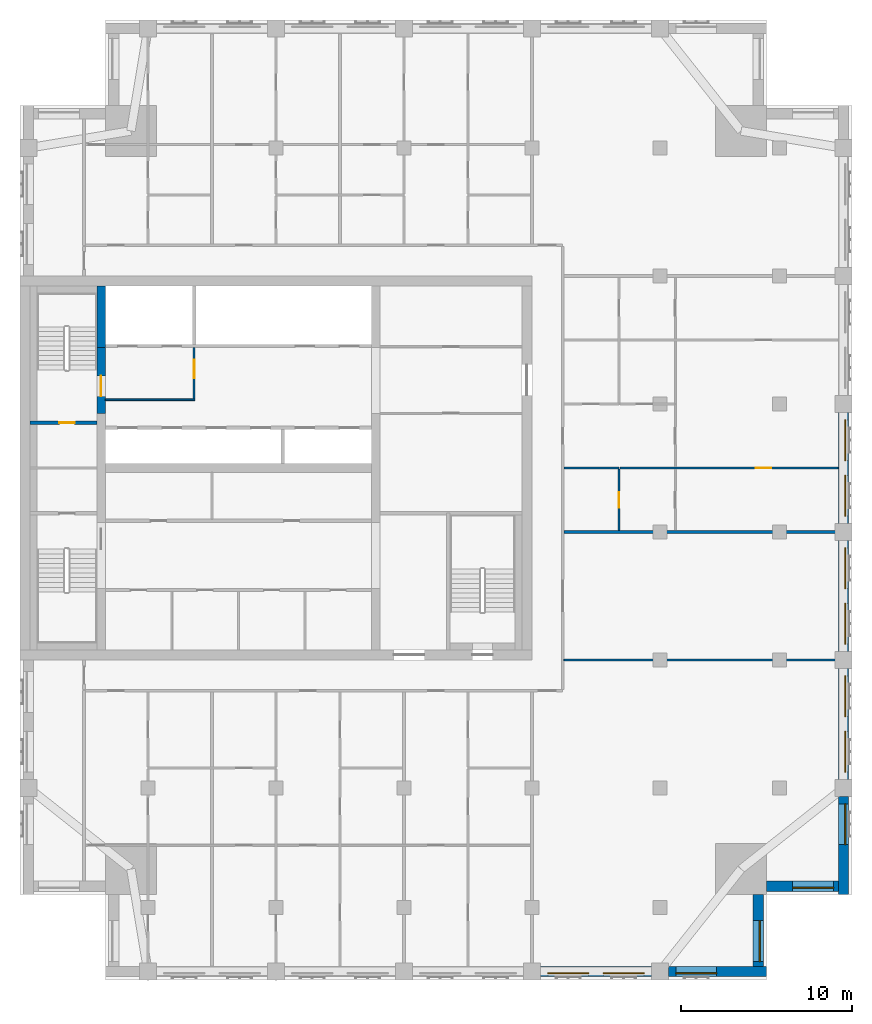
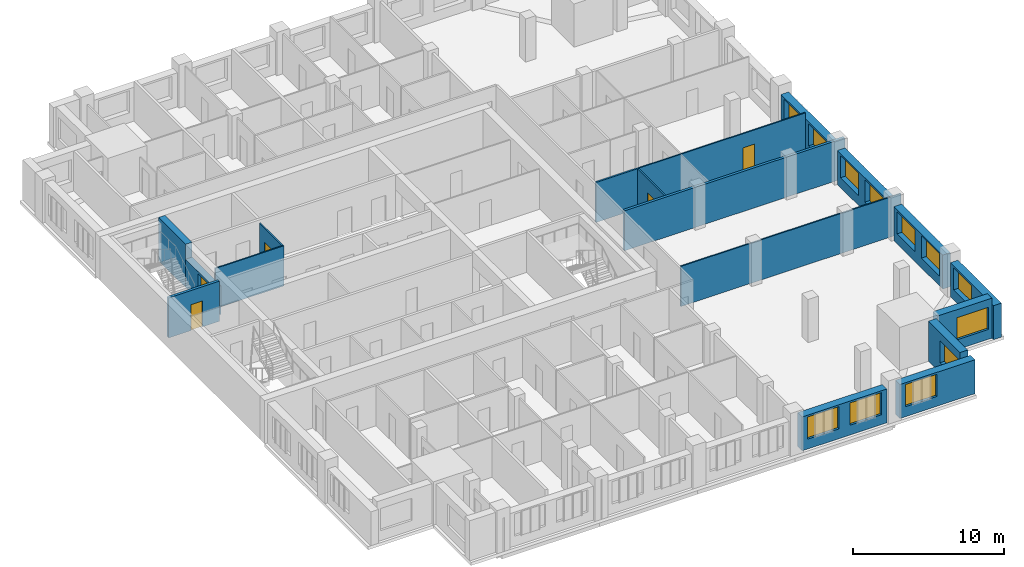
# One storey, part 5 of 11: 18 walls, 12 windows, 5 doors, 17 openings.
"""IFC4 building model written with IfcOpenShell, lengths in metres."""

from ifc_helpers import new_model, si_unit, direction, frame, frame_2d, origin, place, context, subcontext, project, spatial, rectangle, extrude, material, layer, layer_set, type_object, element, fill, save


model = new_model("IFC4")

# Units and contexts
model_context = context("Model", 3, precision=1e-05, world=origin(), true_north=direction((0.0, 1.0)))
body_context = subcontext(model_context, "Body", "Model", "MODEL_VIEW")
ifc_project = project(units=[si_unit("LENGTHUNIT", "METRE"), si_unit("AREAUNIT", "SQUARE_METRE"), si_unit("VOLUMEUNIT", "CUBIC_METRE"), si_unit("PLANEANGLEUNIT", "RADIAN"), si_unit("MASSUNIT", "GRAM", prefix="KILO")], contexts=[model_context])

# Site, building, storey
site_placement = place(None, origin())
site = spatial("IfcSite", under=ifc_project, at=site_placement, CompositionType="ELEMENT")
building_placement = place(site_placement, origin())
building = spatial("IfcBuilding", under=site, at=building_placement, Name="Tamorin Gate", CompositionType="ELEMENT")
storey_placement = place(building_placement, frame((0.0, 0.0, 244.199951171875)))
storey = spatial("IfcBuildingStorey", under=building, at=storey_placement, Name="L61", CompositionType="ELEMENT", Elevation=244.199951171875)

# Wall, openings, windows
ifc_material_1 = material(Name="Precast concrete C40/50", Category="concrete")
ifc_layer_1 = layer(ifc_material_1, 0.60009765625)
ifc_layer_set_1 = layer_set([ifc_layer_1], Name="Precast concrete C40/50")
wall_type_1 = type_object("IfcWallType", Name="Board-marked concrete facade panel 600", PredefinedType="SOLIDWALL", material=ifc_layer_set_1)
wall_1_placement = place(storey_placement, frame((60.5, 41.75, 0.0), z_axis=(0.0, 0.0, 1.0), x_axis=(1.0, 0.0, 0.0)))
wall_1 = element("IfcWall", 1, at=wall_1_placement, inside=storey, type_object=wall_type_1, Name="Facade panel", PredefinedType="SOLIDWALL", context=body_context, shape_type="SweptSolid", body=[
    extrude(rectangle(XDim=6.5, YDim=0.60009765625, at=frame_2d((3.25, 0.0))), origin(), (0.0, 0.0, 1.0), 2.75),
])
opening_1_placement = place(wall_1_placement, frame((0.425048828125, 0.0, 0.800048828125)))
opening_1 = element("IfcOpeningElement", 2, at=opening_1_placement, cuts=wall_1, Name="Opening WN1", PredefinedType="OPENING", context=body_context, shape_type="SweptSolid", body=[
    extrude(rectangle(XDim=2.39990234375, YDim=1.800048828125, at=frame_2d((1.199951171875, 0.89990234375))), frame((0.0, 0.31005859375, 0.0), z_axis=(0.0, -1.0, 0.0), x_axis=(1.0, 0.0, 0.0)), (0.0, 0.0, 1.0), 0.6201171875),
])
opening_2_placement = place(wall_1_placement, frame((3.675048828125, 0.0, 0.800048828125)))
opening_2 = element("IfcOpeningElement", 3, at=opening_2_placement, cuts=wall_1, Name="Opening WN1", PredefinedType="OPENING", context=body_context, shape_type="SweptSolid", body=[
    extrude(rectangle(XDim=2.39990234375, YDim=1.800048828125, at=frame_2d((1.199951171875, 0.89990234375))), frame((0.0, 0.31005859375, 0.0), z_axis=(0.0, -1.0, 0.0), x_axis=(1.0, 0.0, 0.0)), (0.0, 0.0, 1.0), 0.6201171875),
])
ifc_material_2 = material(Name="Clear glass in aluminium frame", Category="aluminium")
window_type = type_object("IfcWindowType", Name="Deep-set window 2400x1800", PartitioningType="SINGLE_PANEL", PredefinedType="WINDOW", material=ifc_material_2)
window_1_placement = place(opening_1_placement, origin())
window_1 = element("IfcWindow", 4, at=window_1_placement, inside=storey, type_object=window_type, Name="Deep-set window", OverallHeight=1.800048828125, OverallWidth=2.39990234375, PartitioningType="SINGLE_PANEL", PredefinedType="WINDOW", context=body_context, shape_type="SweptSolid", body=[
    extrude(rectangle(XDim=2.39990234375, YDim=1.800048828125, at=frame_2d((1.199951171875, 0.89990234375))), frame((0.0, -0.070068359375, 0.0), z_axis=(0.0, -1.0, 0.0), x_axis=(1.0, 0.0, 0.0)), (0.0, 0.0, 1.0), 0.06005859375),
])
fill(opening_1, window_1)
window_2_placement = place(opening_2_placement, origin())
window_2 = element("IfcWindow", 5, at=window_2_placement, inside=storey, type_object=window_type, Name="Deep-set window", OverallHeight=1.800048828125, OverallWidth=2.39990234375, PartitioningType="SINGLE_PANEL", PredefinedType="WINDOW", context=body_context, shape_type="SweptSolid", body=[
    extrude(rectangle(XDim=2.39990234375, YDim=1.800048828125, at=frame_2d((1.199951171875, 0.89990234375))), frame((0.0, -0.070068359375, 0.0), z_axis=(0.0, -1.0, 0.0), x_axis=(1.0, 0.0, 0.0)), (0.0, 0.0, 1.0), 0.06005859375),
])
fill(opening_2, window_2)

# Wall, opening, window
wall_2_placement = place(storey_placement, frame((68.0, 41.75, 0.0), z_axis=(0.0, 0.0, 1.0), x_axis=(1.0, 0.0, 0.0)))
wall_2 = element("IfcWall", 6, at=wall_2_placement, inside=storey, type_object=wall_type_1, Name="Facade panel", PredefinedType="SOLIDWALL", context=body_context, shape_type="SweptSolid", body=[
    extrude(rectangle(XDim=5.75, YDim=0.60009765625, at=frame_2d((2.875, 0.0))), origin(), (0.0, 0.0, 1.0), 2.75),
])
opening_3_placement = place(wall_2_placement, frame((0.425048828125, 0.0, 0.800048828125)))
opening_3 = element("IfcOpeningElement", 7, at=opening_3_placement, cuts=wall_2, Name="Opening WN1", PredefinedType="OPENING", context=body_context, shape_type="SweptSolid", body=[
    extrude(rectangle(XDim=2.39990234375, YDim=1.800048828125, at=frame_2d((1.199951171875, 0.89990234375))), frame((0.0, 0.31005859375, 0.0), z_axis=(0.0, -1.0, 0.0), x_axis=(1.0, 0.0, 0.0)), (0.0, 0.0, 1.0), 0.6201171875),
])
window_3_placement = place(opening_3_placement, origin())
window_3 = element("IfcWindow", 8, at=window_3_placement, inside=storey, type_object=window_type, Name="Deep-set window", OverallHeight=1.800048828125, OverallWidth=2.39990234375, PartitioningType="SINGLE_PANEL", PredefinedType="WINDOW", context=body_context, shape_type="SweptSolid", body=[
    extrude(rectangle(XDim=2.39990234375, YDim=1.800048828125, at=frame_2d((1.199951171875, 0.89990234375))), frame((0.0, -0.070068359375, 0.0), z_axis=(0.0, -1.0, 0.0), x_axis=(1.0, 0.0, 0.0)), (0.0, 0.0, 1.0), 0.06005859375),
])
fill(opening_3, window_3)

wall_3_placement = place(storey_placement, frame((73.25, 42.050048828125, 0.0), z_axis=(0.0, 0.0, 1.0), x_axis=(0.0, 1.0, 0.0)))
wall_3 = element("IfcWall", 9, at=wall_3_placement, inside=storey, type_object=wall_type_1, Name="Facade panel", PredefinedType="SOLIDWALL", context=body_context, shape_type="SweptSolid", body=[
    extrude(rectangle(XDim=4.199951171875, YDim=0.60009765625, at=frame_2d((2.10009765625, 0.0))), origin(), (0.0, 0.0, 1.0), 3.25),
])
opening_4_placement = place(wall_3_placement, frame((0.27490234375, 0.0, 0.800048828125)))
opening_4 = element("IfcOpeningElement", 10, at=opening_4_placement, cuts=wall_3, Name="Opening WN1", PredefinedType="OPENING", context=body_context, shape_type="SweptSolid", body=[
    extrude(rectangle(XDim=2.39990234375, YDim=1.800048828125, at=frame_2d((1.199951171875, 0.89990234375))), frame((0.0, 0.31005859375, 0.0), z_axis=(0.0, -1.0, 0.0), x_axis=(1.0, 0.0, 0.0)), (0.0, 0.0, 1.0), 0.6201171875),
])
window_4_placement = place(opening_4_placement, origin())
window_4 = element("IfcWindow", 11, at=window_4_placement, inside=storey, type_object=window_type, Name="Deep-set window", OverallHeight=1.800048828125, OverallWidth=2.39990234375, PartitioningType="SINGLE_PANEL", PredefinedType="WINDOW", context=body_context, shape_type="SweptSolid", body=[
    extrude(rectangle(XDim=2.39990234375, YDim=1.800048828125, at=frame_2d((1.199951171875, 0.89990234375))), frame((0.0, -0.070068359375, 0.0), z_axis=(0.0, -1.0, 0.0), x_axis=(1.0, 0.0, 0.0)), (0.0, 0.0, 1.0), 0.06005859375),
])
fill(opening_4, window_4)

wall_4_placement = place(storey_placement, frame((73.75, 46.75, 0.0), z_axis=(0.0, 0.0, 1.0), x_axis=(1.0, 0.0, 0.0)))
wall_4 = element("IfcWall", 12, at=wall_4_placement, inside=storey, type_object=wall_type_1, Name="Facade panel", PredefinedType="SOLIDWALL", context=body_context, shape_type="SweptSolid", body=[
    extrude(rectangle(XDim=4.199951171875, YDim=0.60009765625, at=frame_2d((2.10009765625, 0.0))), origin(), (0.0, 0.0, 1.0), 3.25),
])
opening_5_placement = place(wall_4_placement, frame((1.52490234375, 0.0, 0.800048828125)))
opening_5 = element("IfcOpeningElement", 13, at=opening_5_placement, cuts=wall_4, Name="Opening WN1", PredefinedType="OPENING", context=body_context, shape_type="SweptSolid", body=[
    extrude(rectangle(XDim=2.39990234375, YDim=1.800048828125, at=frame_2d((1.199951171875, 0.89990234375))), frame((0.0, 0.31005859375, 0.0), z_axis=(0.0, -1.0, 0.0), x_axis=(1.0, 0.0, 0.0)), (0.0, 0.0, 1.0), 0.6201171875),
])
window_5_placement = place(opening_5_placement, origin())
window_5 = element("IfcWindow", 14, at=window_5_placement, inside=storey, type_object=window_type, Name="Deep-set window", OverallHeight=1.800048828125, OverallWidth=2.39990234375, PartitioningType="SINGLE_PANEL", PredefinedType="WINDOW", context=body_context, shape_type="SweptSolid", body=[
    extrude(rectangle(XDim=2.39990234375, YDim=1.800048828125, at=frame_2d((1.199951171875, 0.89990234375))), frame((0.0, -0.070068359375, 0.0), z_axis=(0.0, -1.0, 0.0), x_axis=(1.0, 0.0, 0.0)), (0.0, 0.0, 1.0), 0.06005859375),
])
fill(opening_5, window_5)

wall_5_placement = place(storey_placement, frame((78.25, 46.25, 0.0), z_axis=(0.0, 0.0, 1.0), x_axis=(0.0, 1.0, 0.0)))
wall_5 = element("IfcWall", 15, at=wall_5_placement, inside=storey, type_object=wall_type_1, Name="Facade panel", PredefinedType="SOLIDWALL", context=body_context, shape_type="SweptSolid", body=[
    extrude(rectangle(XDim=5.75, YDim=0.60009765625, at=frame_2d((2.875, 0.0))), origin(), (0.0, 0.0, 1.0), 2.75),
])
opening_6_placement = place(wall_5_placement, frame((2.925048828125, 0.0, 0.800048828125)))
opening_6 = element("IfcOpeningElement", 16, at=opening_6_placement, cuts=wall_5, Name="Opening WN1", PredefinedType="OPENING", context=body_context, shape_type="SweptSolid", body=[
    extrude(rectangle(XDim=2.39990234375, YDim=1.800048828125, at=frame_2d((1.199951171875, 0.89990234375))), frame((0.0, 0.31005859375, 0.0), z_axis=(0.0, -1.0, 0.0), x_axis=(1.0, 0.0, 0.0)), (0.0, 0.0, 1.0), 0.6201171875),
])
window_6_placement = place(opening_6_placement, origin())
window_6 = element("IfcWindow", 17, at=window_6_placement, inside=storey, type_object=window_type, Name="Deep-set window", OverallHeight=1.800048828125, OverallWidth=2.39990234375, PartitioningType="SINGLE_PANEL", PredefinedType="WINDOW", context=body_context, shape_type="SweptSolid", body=[
    extrude(rectangle(XDim=2.39990234375, YDim=1.800048828125, at=frame_2d((1.199951171875, 0.89990234375))), frame((0.0, -0.070068359375, 0.0), z_axis=(0.0, -1.0, 0.0), x_axis=(1.0, 0.0, 0.0)), (0.0, 0.0, 1.0), 0.06005859375),
])
fill(opening_6, window_6)

# Wall, openings, windows
wall_6_placement = place(storey_placement, frame((78.25, 53.0, 0.0), z_axis=(0.0, 0.0, 1.0), x_axis=(0.0, 1.0, 0.0)))
wall_6 = element("IfcWall", 18, at=wall_6_placement, inside=storey, type_object=wall_type_1, Name="Facade panel", PredefinedType="SOLIDWALL", context=body_context, shape_type="SweptSolid", body=[
    extrude(rectangle(XDim=6.5, YDim=0.60009765625, at=frame_2d((3.25, 0.0))), origin(), (0.0, 0.0, 1.0), 2.75),
])
opening_7_placement = place(wall_6_placement, frame((0.425048828125, 0.0, 0.800048828125)))
opening_7 = element("IfcOpeningElement", 19, at=opening_7_placement, cuts=wall_6, Name="Opening WN1", PredefinedType="OPENING", context=body_context, shape_type="SweptSolid", body=[
    extrude(rectangle(XDim=2.39990234375, YDim=1.800048828125, at=frame_2d((1.199951171875, 0.89990234375))), frame((0.0, 0.31005859375, 0.0), z_axis=(0.0, -1.0, 0.0), x_axis=(1.0, 0.0, 0.0)), (0.0, 0.0, 1.0), 0.6201171875),
])
opening_8_placement = place(wall_6_placement, frame((3.675048828125, 0.0, 0.800048828125)))
opening_8 = element("IfcOpeningElement", 20, at=opening_8_placement, cuts=wall_6, Name="Opening WN1", PredefinedType="OPENING", context=body_context, shape_type="SweptSolid", body=[
    extrude(rectangle(XDim=2.39990234375, YDim=1.800048828125, at=frame_2d((1.199951171875, 0.89990234375))), frame((0.0, 0.31005859375, 0.0), z_axis=(0.0, -1.0, 0.0), x_axis=(1.0, 0.0, 0.0)), (0.0, 0.0, 1.0), 0.6201171875),
])
window_7_placement = place(opening_7_placement, origin())
window_7 = element("IfcWindow", 21, at=window_7_placement, inside=storey, type_object=window_type, Name="Deep-set window", OverallHeight=1.800048828125, OverallWidth=2.39990234375, PartitioningType="SINGLE_PANEL", PredefinedType="WINDOW", context=body_context, shape_type="SweptSolid", body=[
    extrude(rectangle(XDim=2.39990234375, YDim=1.800048828125, at=frame_2d((1.199951171875, 0.89990234375))), frame((0.0, -0.070068359375, 0.0), z_axis=(0.0, -1.0, 0.0), x_axis=(1.0, 0.0, 0.0)), (0.0, 0.0, 1.0), 0.06005859375),
])
fill(opening_7, window_7)
window_8_placement = place(opening_8_placement, origin())
window_8 = element("IfcWindow", 22, at=window_8_placement, inside=storey, type_object=window_type, Name="Deep-set window", OverallHeight=1.800048828125, OverallWidth=2.39990234375, PartitioningType="SINGLE_PANEL", PredefinedType="WINDOW", context=body_context, shape_type="SweptSolid", body=[
    extrude(rectangle(XDim=2.39990234375, YDim=1.800048828125, at=frame_2d((1.199951171875, 0.89990234375))), frame((0.0, -0.070068359375, 0.0), z_axis=(0.0, -1.0, 0.0), x_axis=(1.0, 0.0, 0.0)), (0.0, 0.0, 1.0), 0.06005859375),
])
fill(opening_8, window_8)

wall_7_placement = place(storey_placement, frame((78.25, 60.5, 0.0), z_axis=(0.0, 0.0, 1.0), x_axis=(0.0, 1.0, 0.0)))
wall_7 = element("IfcWall", 23, at=wall_7_placement, inside=storey, type_object=wall_type_1, Name="Facade panel", PredefinedType="SOLIDWALL", context=body_context, shape_type="SweptSolid", body=[
    extrude(rectangle(XDim=6.5, YDim=0.60009765625, at=frame_2d((3.25, 0.0))), origin(), (0.0, 0.0, 1.0), 2.75),
])
opening_9_placement = place(wall_7_placement, frame((0.425048828125, 0.0, 0.800048828125)))
opening_9 = element("IfcOpeningElement", 24, at=opening_9_placement, cuts=wall_7, Name="Opening WN1", PredefinedType="OPENING", context=body_context, shape_type="SweptSolid", body=[
    extrude(rectangle(XDim=2.39990234375, YDim=1.800048828125, at=frame_2d((1.199951171875, 0.89990234375))), frame((0.0, 0.31005859375, 0.0), z_axis=(0.0, -1.0, 0.0), x_axis=(1.0, 0.0, 0.0)), (0.0, 0.0, 1.0), 0.6201171875),
])
opening_10_placement = place(wall_7_placement, frame((3.675048828125, 0.0, 0.800048828125)))
opening_10 = element("IfcOpeningElement", 25, at=opening_10_placement, cuts=wall_7, Name="Opening WN1", PredefinedType="OPENING", context=body_context, shape_type="SweptSolid", body=[
    extrude(rectangle(XDim=2.39990234375, YDim=1.800048828125, at=frame_2d((1.199951171875, 0.89990234375))), frame((0.0, 0.31005859375, 0.0), z_axis=(0.0, -1.0, 0.0), x_axis=(1.0, 0.0, 0.0)), (0.0, 0.0, 1.0), 0.6201171875),
])
window_9_placement = place(opening_9_placement, origin())
window_9 = element("IfcWindow", 26, at=window_9_placement, inside=storey, type_object=window_type, Name="Deep-set window", OverallHeight=1.800048828125, OverallWidth=2.39990234375, PartitioningType="SINGLE_PANEL", PredefinedType="WINDOW", context=body_context, shape_type="SweptSolid", body=[
    extrude(rectangle(XDim=2.39990234375, YDim=1.800048828125, at=frame_2d((1.199951171875, 0.89990234375))), frame((0.0, -0.070068359375, 0.0), z_axis=(0.0, -1.0, 0.0), x_axis=(1.0, 0.0, 0.0)), (0.0, 0.0, 1.0), 0.06005859375),
])
fill(opening_9, window_9)
window_10_placement = place(opening_10_placement, origin())
window_10 = element("IfcWindow", 27, at=window_10_placement, inside=storey, type_object=window_type, Name="Deep-set window", OverallHeight=1.800048828125, OverallWidth=2.39990234375, PartitioningType="SINGLE_PANEL", PredefinedType="WINDOW", context=body_context, shape_type="SweptSolid", body=[
    extrude(rectangle(XDim=2.39990234375, YDim=1.800048828125, at=frame_2d((1.199951171875, 0.89990234375))), frame((0.0, -0.070068359375, 0.0), z_axis=(0.0, -1.0, 0.0), x_axis=(1.0, 0.0, 0.0)), (0.0, 0.0, 1.0), 0.06005859375),
])
fill(opening_10, window_10)

wall_8_placement = place(storey_placement, frame((78.25, 68.0, 0.0), z_axis=(0.0, 0.0, 1.0), x_axis=(0.0, 1.0, 0.0)))
wall_8 = element("IfcWall", 28, at=wall_8_placement, inside=storey, type_object=wall_type_1, Name="Facade panel", PredefinedType="SOLIDWALL", context=body_context, shape_type="SweptSolid", body=[
    extrude(rectangle(XDim=6.5, YDim=0.60009765625, at=frame_2d((3.25, 0.0))), origin(), (0.0, 0.0, 1.0), 2.75),
])
opening_11_placement = place(wall_8_placement, frame((0.425048828125, 0.0, 0.800048828125)))
opening_11 = element("IfcOpeningElement", 29, at=opening_11_placement, cuts=wall_8, Name="Opening WN1", PredefinedType="OPENING", context=body_context, shape_type="SweptSolid", body=[
    extrude(rectangle(XDim=2.39990234375, YDim=1.800048828125, at=frame_2d((1.199951171875, 0.89990234375))), frame((0.0, 0.31005859375, 0.0), z_axis=(0.0, -1.0, 0.0), x_axis=(1.0, 0.0, 0.0)), (0.0, 0.0, 1.0), 0.6201171875),
])
opening_12_placement = place(wall_8_placement, frame((3.675048828125, 0.0, 0.800048828125)))
opening_12 = element("IfcOpeningElement", 30, at=opening_12_placement, cuts=wall_8, Name="Opening WN1", PredefinedType="OPENING", context=body_context, shape_type="SweptSolid", body=[
    extrude(rectangle(XDim=2.39990234375, YDim=1.800048828125, at=frame_2d((1.199951171875, 0.89990234375))), frame((0.0, 0.31005859375, 0.0), z_axis=(0.0, -1.0, 0.0), x_axis=(1.0, 0.0, 0.0)), (0.0, 0.0, 1.0), 0.6201171875),
])
window_11_placement = place(opening_11_placement, origin())
window_11 = element("IfcWindow", 31, at=window_11_placement, inside=storey, type_object=window_type, Name="Deep-set window", OverallHeight=1.800048828125, OverallWidth=2.39990234375, PartitioningType="SINGLE_PANEL", PredefinedType="WINDOW", context=body_context, shape_type="SweptSolid", body=[
    extrude(rectangle(XDim=2.39990234375, YDim=1.800048828125, at=frame_2d((1.199951171875, 0.89990234375))), frame((0.0, -0.070068359375, 0.0), z_axis=(0.0, -1.0, 0.0), x_axis=(1.0, 0.0, 0.0)), (0.0, 0.0, 1.0), 0.06005859375),
])
fill(opening_11, window_11)
window_12_placement = place(opening_12_placement, origin())
window_12 = element("IfcWindow", 32, at=window_12_placement, inside=storey, type_object=window_type, Name="Deep-set window", OverallHeight=1.800048828125, OverallWidth=2.39990234375, PartitioningType="SINGLE_PANEL", PredefinedType="WINDOW", context=body_context, shape_type="SweptSolid", body=[
    extrude(rectangle(XDim=2.39990234375, YDim=1.800048828125, at=frame_2d((1.199951171875, 0.89990234375))), frame((0.0, -0.070068359375, 0.0), z_axis=(0.0, -1.0, 0.0), x_axis=(1.0, 0.0, 0.0)), (0.0, 0.0, 1.0), 0.06005859375),
])
fill(opening_12, window_12)

# Walls
ifc_material_3 = material(Name="Gypsum board partition")
ifc_layer_2 = layer(ifc_material_3, 0.199951171875)
ifc_layer_set_2 = layer_set([ifc_layer_2], Name="Demising wall 200")
wall_type_2 = type_object("IfcWallType", Name="Demising wall 200", PredefinedType="PARTITIONING", material=ifc_layer_set_2)
wall_9_placement = place(storey_placement, frame((61.875, 67.5, 0.0), z_axis=(0.0, 0.0, 1.0), x_axis=(1.0, 0.0, 0.0)))
element("IfcWall", 33, at=wall_9_placement, inside=storey, type_object=wall_type_2, Name="Demising wall 200", PredefinedType="PARTITIONING", context=body_context, shape_type="SweptSolid", body=[
    extrude(rectangle(XDim=16.875, YDim=0.199951171875, at=frame_2d((8.4375, 0.0))), origin(), (0.0, 0.0, 1.0), 3.25),
])
ifc_material_4 = material(Name="Fire-rated gypsum board partition")
ifc_layer_3 = layer(ifc_material_4, 0.10009765625)
ifc_layer_set_3 = layer_set([ifc_layer_3], Name="Lobby wall 100 EI 60")
wall_type_3 = type_object("IfcWallType", Name="Lobby wall 100 EI 60", PredefinedType="PARTITIONING", material=ifc_layer_set_3)
wall_10_placement = place(storey_placement, frame((35.0, 75.25, 0.0), z_axis=(0.0, 0.0, 1.0), x_axis=(1.0, 0.0, 0.0)))
element("IfcWall", 34, at=wall_10_placement, inside=storey, type_object=wall_type_3, Name="Firefighting lobby wall", PredefinedType="PARTITIONING", context=body_context, shape_type="SweptSolid", body=[
    extrude(rectangle(XDim=5.25, YDim=0.10009765625, at=frame_2d((2.625, 0.0))), origin(), (0.0, 0.0, 1.0), 3.25),
])

# Wall, opening, door
wall_11_placement = place(storey_placement, frame((40.199951171875, 75.300048828125, 0.0), z_axis=(0.0, 0.0, 1.0), x_axis=(0.0, 1.0, 0.0)))
wall_11 = element("IfcWall", 35, at=wall_11_placement, inside=storey, type_object=wall_type_3, Name="Firefighting lobby wall", PredefinedType="PARTITIONING", context=body_context, shape_type="SweptSolid", body=[
    extrude(rectangle(XDim=3.0, YDim=0.10009765625, at=frame_2d((1.5, 0.0))), origin(), (0.0, 0.0, 1.0), 3.25),
])
opening_13_placement = place(wall_11_placement, frame((1.199951171875, 0.0, 0.0)))
opening_13 = element("IfcOpeningElement", 36, at=opening_13_placement, cuts=wall_11, Name="Opening DF1", PredefinedType="OPENING", context=body_context, shape_type="SweptSolid", body=[
    extrude(rectangle(XDim=1.10009765625, YDim=2.10009765625, at=frame_2d((0.550048828125, 1.050048828125))), frame((0.0, 0.06005859375, 0.0), z_axis=(0.0, -1.0, 0.0), x_axis=(1.0, 0.0, 0.0)), (0.0, 0.0, 1.0), 0.1201171875),
])
ifc_material_5 = material(Name="Steel fire door", Category="steel")
door_type_1 = type_object("IfcDoorType", Name="Firefighting lobby door 1100 x 2100 EI 90", OperationType="SINGLE_SWING_LEFT", PredefinedType="DOOR", material=ifc_material_5)
door_1_placement = place(opening_13_placement, origin())
door_1 = element("IfcDoor", 37, at=door_1_placement, inside=storey, type_object=door_type_1, Name="Firefighting lobby door", OperationType="SINGLE_SWING_LEFT", OverallHeight=2.10009765625, OverallWidth=1.10009765625, PredefinedType="DOOR", context=body_context, shape_type="SweptSolid", body=[
    extrude(rectangle(XDim=1.10009765625, YDim=2.10009765625, at=frame_2d((0.550048828125, 1.050048828125))), frame((0.0, 0.02490234375, 0.0), z_axis=(0.0, -1.0, 0.0), x_axis=(1.0, 0.0, 0.0)), (0.0, 0.0, 1.0), 0.050048828125),
])
fill(opening_13, door_1)

# Walls
ifc_material_6 = material(Name="Concrete C50/60", Category="concrete")
ifc_layer_4 = layer(ifc_material_6, 0.5)
ifc_layer_set_4 = layer_set([ifc_layer_4], Name="RC core internal wall 500 C50/60")
wall_type_4 = type_object("IfcWallType", Name="RC core internal wall 500 C50/60", PredefinedType="SHEAR", material=ifc_layer_set_4)
wall_12_placement = place(storey_placement, frame((34.75, 78.300048828125, 0.0), z_axis=(0.0, 0.0, 1.0), x_axis=(0.0, 1.0, 0.0)))
element("IfcWall", 38, at=wall_12_placement, inside=storey, type_object=wall_type_4, Name="Core cross wall L61", PredefinedType="SHEAR", context=body_context, shape_type="SweptSolid", body=[
    extrude(rectangle(XDim=3.599853515625, YDim=0.5, at=frame_2d((1.7998046875, 0.0))), origin(), (0.0, 0.0, 1.0), 3.5),
])
ifc_layer_5 = layer(ifc_material_3, 0.10009765625)
ifc_layer_set_5 = layer_set([ifc_layer_5], Name="Room partition 100")
wall_type_5 = type_object("IfcWallType", Name="Room partition 100", PredefinedType="PARTITIONING", material=ifc_layer_set_5)
wall_13_placement = place(storey_placement, frame((61.875, 60.0, 0.0), z_axis=(0.0, 0.0, 1.0), x_axis=(1.0, 0.0, 0.0)))
element("IfcWall", 39, at=wall_13_placement, inside=storey, type_object=wall_type_5, Name="Room partition 100", PredefinedType="PARTITIONING", context=body_context, shape_type="SweptSolid", body=[
    extrude(rectangle(XDim=16.875, YDim=0.10009765625, at=frame_2d((8.4375, 0.0))), origin(), (0.0, 0.0, 1.0), 3.25),
])

# Wall, opening, door
wall_14_placement = place(storey_placement, frame((65.16259765625, 71.25, 0.0), z_axis=(0.0, 0.0, 1.0), x_axis=(1.0, 0.0, 0.0)))
wall_14 = element("IfcWall", 40, at=wall_14_placement, inside=storey, type_object=wall_type_5, Name="Room partition 100", PredefinedType="PARTITIONING", context=body_context, shape_type="SweptSolid", body=[
    extrude(rectangle(XDim=12.77734375, YDim=0.10009765625, at=frame_2d((6.388671875, 0.0))), origin(), (0.0, 0.0, 1.0), 3.25),
])
opening_14_placement = place(wall_14_placement, frame((7.96240234375, 0.0, 0.0)))
opening_14 = element("IfcOpeningElement", 41, at=opening_14_placement, cuts=wall_14, Name="Opening DR7050", PredefinedType="OPENING", context=body_context, shape_type="SweptSolid", body=[
    extrude(rectangle(XDim=0.89990234375, YDim=2.10009765625, at=frame_2d((0.449951171875, 1.050048828125))), frame((0.0, 0.06005859375, 0.0), z_axis=(0.0, -1.0, 0.0), x_axis=(1.0, 0.0, 0.0)), (0.0, 0.0, 1.0), 0.1201171875),
])
ifc_material_7 = material(Name="Timber door leaf", Category="wood")
door_type_2 = type_object("IfcDoorType", Name="Door 900 x 2100", OperationType="NOTDEFINED", PredefinedType="DOOR", material=ifc_material_7)
door_2_placement = place(opening_14_placement, origin())
door_2 = element("IfcDoor", 42, at=door_2_placement, inside=storey, type_object=door_type_2, Name="Door DR7050", OperationType="SINGLE_SWING_LEFT", OverallHeight=2.10009765625, OverallWidth=0.89990234375, PredefinedType="DOOR", context=body_context, shape_type="SweptSolid", body=[
    extrude(rectangle(XDim=0.89990234375, YDim=2.10009765625, at=frame_2d((0.449951171875, 1.050048828125))), frame((0.0, 0.02490234375, 0.0), z_axis=(0.0, -1.0, 0.0), x_axis=(1.0, 0.0, 0.0)), (0.0, 0.0, 1.0), 0.050048828125),
])
fill(opening_14, door_2)

ifc_material_8 = material(Name="Concrete C40/50", Category="concrete")
ifc_layer_6 = layer(ifc_material_8, 0.199951171875)
ifc_layer_set_6 = layer_set([ifc_layer_6], Name="Stair enclosure wall 200 EI 120 C40/50")
wall_type_6 = type_object("IfcWallType", Name="Stair enclosure wall 200 EI 120 C40/50", PredefinedType="SOLIDWALL", material=ifc_layer_set_6)
wall_15_placement = place(storey_placement, frame((30.60009765625, 73.89990234375, 0.0), z_axis=(0.0, 0.0, 1.0), x_axis=(1.0, 0.0, 0.0)))
wall_15 = element("IfcWall", 43, at=wall_15_placement, inside=storey, type_object=wall_type_6, Name="Stair enclosure wall", PredefinedType="SOLIDWALL", context=body_context, shape_type="SweptSolid", body=[
    extrude(rectangle(XDim=3.89990234375, YDim=0.199951171875, at=frame_2d((1.949951171875, 0.0))), origin(), (0.0, 0.0, 1.0), 3.25),
])
opening_15_placement = place(wall_15_placement, frame((1.699951171875, 0.0, 0.0)))
opening_15 = element("IfcOpeningElement", 44, at=opening_15_placement, cuts=wall_15, Name="Opening DR1", PredefinedType="OPENING", context=body_context, shape_type="SweptSolid", body=[
    extrude(rectangle(XDim=0.89990234375, YDim=2.10009765625, at=frame_2d((0.449951171875, 1.050048828125))), frame((0.0, 0.10986328125, 0.0), z_axis=(0.0, -1.0, 0.0), x_axis=(1.0, 0.0, 0.0)), (0.0, 0.0, 1.0), 0.219970703125),
])
door_type_3 = type_object("IfcDoorType", Name="Riser access door 900 x 2100 EI 120", OperationType="SINGLE_SWING_LEFT", PredefinedType="DOOR", material=ifc_material_5)
door_3_placement = place(opening_15_placement, origin())
door_3 = element("IfcDoor", 45, at=door_3_placement, inside=storey, type_object=door_type_3, Name="Communications riser door", OperationType="SINGLE_SWING_RIGHT", OverallHeight=2.10009765625, OverallWidth=0.89990234375, PredefinedType="DOOR", context=body_context, shape_type="SweptSolid", body=[
    extrude(rectangle(XDim=0.89990234375, YDim=2.10009765625, at=frame_2d((0.449951171875, 1.050048828125))), frame((0.0, 0.02490234375, 0.0), z_axis=(0.0, -1.0, 0.0), x_axis=(1.0, 0.0, 0.0)), (0.0, 0.0, 1.0), 0.050048828125),
])
fill(opening_15, door_3)

ifc_material_9 = material(Name="Concrete C32/40", Category="concrete")
ifc_layer_7 = layer(ifc_material_9, 0.5)
ifc_layer_set_7 = layer_set([ifc_layer_7], Name="Stair lobby infill wall 500 EI 120")
wall_type_7 = type_object("IfcWallType", Name="Stair lobby infill wall 500 EI 120", PredefinedType="SOLIDWALL", material=ifc_layer_set_7)
wall_16_placement = place(storey_placement, frame((34.75, 74.449951171875, 0.0), z_axis=(0.0, 0.0, 1.0), x_axis=(0.0, 1.0, 0.0)))
wall_16 = element("IfcWall", 46, at=wall_16_placement, inside=storey, type_object=wall_type_7, Name="Stair lobby infill wall", PredefinedType="SOLIDWALL", context=body_context, shape_type="SweptSolid", body=[
    extrude(rectangle(XDim=3.85009765625, YDim=0.5, at=frame_2d((1.925048828125, 0.0))), origin(), (0.0, 0.0, 1.0), 2.300048828125),
])
opening_16_placement = place(wall_16_placement, frame((1.0, 0.0, 0.0)))
opening_16 = element("IfcOpeningElement", 47, at=opening_16_placement, cuts=wall_16, Name="Opening DS1", PredefinedType="OPENING", context=body_context, shape_type="SweptSolid", body=[
    extrude(rectangle(XDim=1.199951171875, YDim=2.10009765625, at=frame_2d((0.60009765625, 1.050048828125))), frame((0.0, 0.260009765625, 0.0), z_axis=(0.0, -1.0, 0.0), x_axis=(1.0, 0.0, 0.0)), (0.0, 0.0, 1.0), 0.52001953125),
])
door_type_4 = type_object("IfcDoorType", Name="Stair door 1200 x 2100 EI 90", OperationType="SINGLE_SWING_LEFT", PredefinedType="DOOR", material=ifc_material_5)
door_4_placement = place(opening_16_placement, origin())
door_4 = element("IfcDoor", 48, at=door_4_placement, inside=storey, type_object=door_type_4, Name="ST2 door", OperationType="SINGLE_SWING_RIGHT", OverallHeight=2.10009765625, OverallWidth=1.199951171875, PredefinedType="DOOR", context=body_context, shape_type="SweptSolid", body=[
    extrude(rectangle(XDim=1.199951171875, YDim=2.10009765625, at=frame_2d((0.60009765625, 1.050048828125))), frame((0.0, 0.02490234375, 0.0), z_axis=(0.0, -1.0, 0.0), x_axis=(1.0, 0.0, 0.0)), (0.0, 0.0, 1.0), 0.050048828125),
])
fill(opening_16, door_4)

# Wall
ifc_layer_8 = layer(ifc_material_3, 0.125)
ifc_layer_set_8 = layer_set([ifc_layer_8], Name="Wet wall 125")
wall_type_8 = type_object("IfcWallType", Name="Wet wall 125", PredefinedType="PARTITIONING", material=ifc_layer_set_8)
wall_17_placement = place(storey_placement, frame((61.875, 71.25, 0.0), z_axis=(0.0, 0.0, 1.0), x_axis=(1.0, 0.0, 0.0)))
element("IfcWall", 49, at=wall_17_placement, inside=storey, type_object=wall_type_8, Name="Wet wall 125", PredefinedType="PARTITIONING", context=body_context, shape_type="SweptSolid", body=[
    extrude(rectangle(XDim=3.22509765625, YDim=0.125, at=frame_2d((1.612548828125, 0.0))), origin(), (0.0, 0.0, 1.0), 3.25),
])

# Wall, opening, door
wall_18_placement = place(storey_placement, frame((65.10009765625, 67.60009765625, 0.0), z_axis=(0.0, 0.0, 1.0), x_axis=(0.0, 1.0, 0.0)))
wall_18 = element("IfcWall", 50, at=wall_18_placement, inside=storey, type_object=wall_type_8, Name="Wet wall 125", PredefinedType="PARTITIONING", context=body_context, shape_type="SweptSolid", body=[
    extrude(rectangle(XDim=3.58740234375, YDim=0.125, at=frame_2d((1.793701171875, 0.0))), origin(), (0.0, 0.0, 1.0), 3.25),
])
opening_17_placement = place(wall_18_placement, frame((1.324951171875, 0.0, 0.0)))
opening_17 = element("IfcOpeningElement", 51, at=opening_17_placement, cuts=wall_18, Name="Opening DR7043", PredefinedType="OPENING", context=body_context, shape_type="SweptSolid", body=[
    extrude(rectangle(XDim=0.89990234375, YDim=2.10009765625, at=frame_2d((0.449951171875, 1.050048828125))), frame((0.0, 0.072509765625, 0.0), z_axis=(0.0, -1.0, 0.0), x_axis=(1.0, 0.0, 0.0)), (0.0, 0.0, 1.0), 0.14501953125),
])
door_5_placement = place(opening_17_placement, origin())
door_5 = element("IfcDoor", 52, at=door_5_placement, inside=storey, type_object=door_type_2, Name="Door DR7043", OperationType="SINGLE_SWING_LEFT", OverallHeight=2.10009765625, OverallWidth=0.89990234375, PredefinedType="DOOR", context=body_context, shape_type="SweptSolid", body=[
    extrude(rectangle(XDim=0.89990234375, YDim=2.10009765625, at=frame_2d((0.449951171875, 1.050048828125))), frame((0.0, 0.02490234375, 0.0), z_axis=(0.0, -1.0, 0.0), x_axis=(1.0, 0.0, 0.0)), (0.0, 0.0, 1.0), 0.050048828125),
])
fill(opening_17, door_5)

save(model, "model.ifc")
